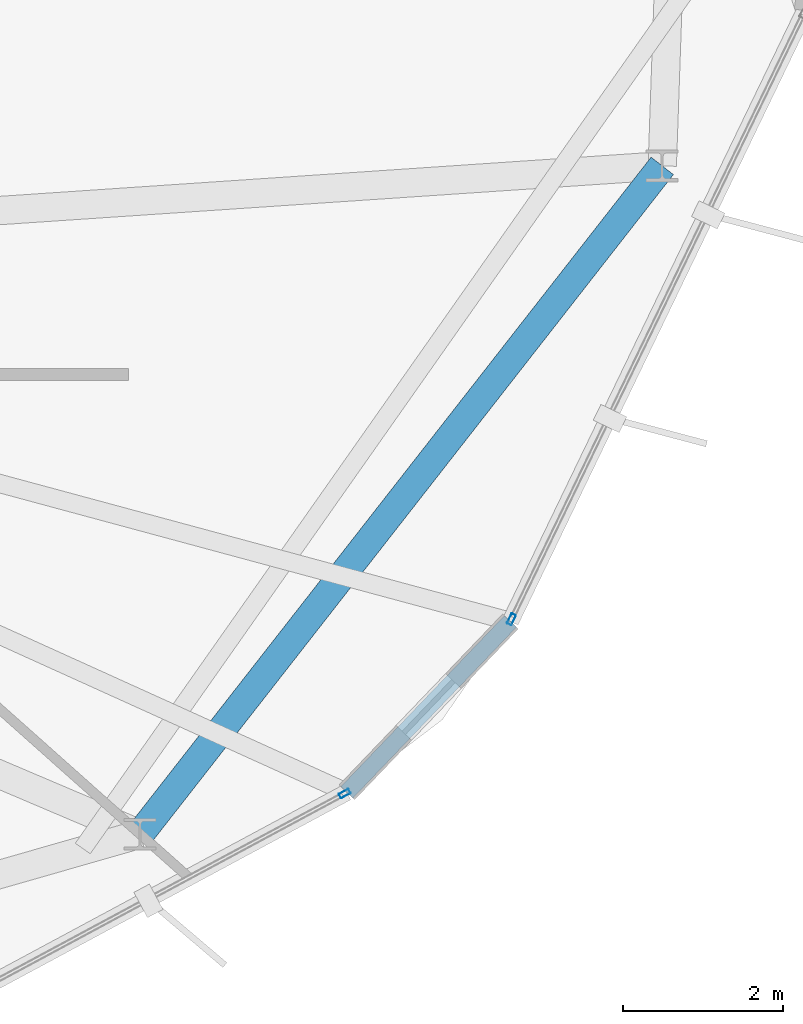
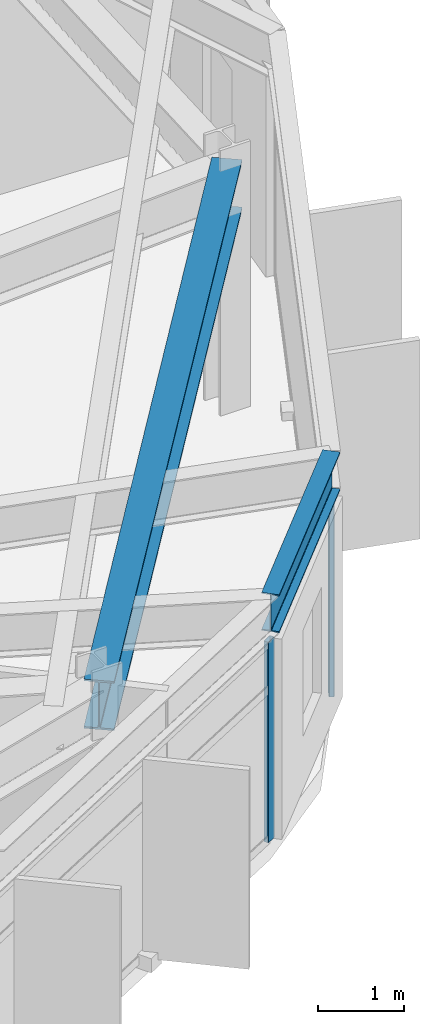
# One storey, part 11 of 26: 2 beams, 2 members, 2 elements without a shape of their own.
"""IFC4 building model written with IfcOpenShell, lengths in metres."""

from ifc_helpers import new_model, si_unit, direction, frame, origin, origin_2d, place, context, subcontext, project, spatial, hollow_rectangle, i_section, extrude, material, layer, layer_set, material_profile, profile_set, type_object, element, aggregate, save


model = new_model("IFC4")

# Units and contexts
model_context = context("Model", 3, precision=1e-05, world=origin(), true_north=direction((0.0, 1.0)))
body_context = subcontext(model_context, "Body", "Model", "MODEL_VIEW")
ifc_project = project(units=[si_unit("LENGTHUNIT", "METRE"), si_unit("AREAUNIT", "SQUARE_METRE"), si_unit("VOLUMEUNIT", "CUBIC_METRE"), si_unit("PLANEANGLEUNIT", "RADIAN"), si_unit("MASSUNIT", "GRAM", prefix="KILO")], contexts=[model_context])

# Site, building, storey
site_placement = place(None, origin())
site = spatial("IfcSite", under=ifc_project, at=site_placement, CompositionType="ELEMENT")
building_placement = place(site_placement, origin())
building = spatial("IfcBuilding", under=site, at=building_placement, Name="Soratama Intermodal Tower", CompositionType="ELEMENT")
storey_placement = place(building_placement, frame((0.0, 0.0, 268.75)))
storey = spatial("IfcBuildingStorey", under=building, at=storey_placement, Name="L68", CompositionType="ELEMENT", Elevation=268.75)

# Beams
ifc_material_1 = material(Name="Structural steel ASTM A992 Grade 50", Category="steel")
ifc_material_profile_1 = material_profile(ifc_material_1, i_section(OverallWidth=0.35498046875, OverallDepth=0.695068359375, WebThickness=0.015380859375, FlangeThickness=0.02490234375, FilletRadius=0.01611328125, at=origin_2d()), Name="W27X146")
ifc_profile_set_1 = profile_set([ifc_material_profile_1], Name="Structural steel ASTM A992 Grade 50")
beam_type_1 = type_object("IfcBeamType", Name="BM-RING-W27X146", PredefinedType="BEAM", material=ifc_profile_set_1)
beam_1_placement = place(storey_placement, frame((54.617919921875, 10.740966796875, 3.1025390625), z_axis=(0.6157278291, 0.787958907858, 0.0), x_axis=(-0.787958907858, 0.6157278291, 0.0)))
element("IfcBeam", 1, at=beam_1_placement, inside=storey, type_object=beam_type_1, Name="BM-L68-RING-09", PredefinedType="BEAM", context=body_context, shape_type="SweptSolid", body=[
    extrude(i_section(OverallWidth=0.35498046875, OverallDepth=0.695068359375, WebThickness=0.015380859375, FlangeThickness=0.02490234375, FilletRadius=0.01611328125, at=origin_2d()), origin(), (0.0, 0.0, 1.0), 10.6298828125),
])
ifc_material_2 = material(Name="Structural steel ASTM A992 Grade 50", Category="steel")
ifc_material_profile_2 = material_profile(ifc_material_2, i_section(OverallWidth=0.2099609375, OverallDepth=0.537109375, WebThickness=0.010986328125, FlangeThickness=0.017333984375, FilletRadius=0.012939453125, at=origin_2d()), Name="W21X68")
ifc_profile_set_2 = profile_set([ifc_material_profile_2], Name="Structural steel ASTM A992 Grade 50")
beam_type_2 = type_object("IfcBeamType", Name="BM-SPN-W21X68", PredefinedType="SPANDREL", material=ifc_profile_set_2)
beam_2_placement = place(storey_placement, frame((57.208984375, 11.263916015625, 3.181396484375), z_axis=(0.691422566435, 0.722450575904, 0.0), x_axis=(-0.722450575904, 0.691422566435, 0.0)))
element("IfcBeam", 2, at=beam_2_placement, inside=storey, type_object=beam_type_2, Name="BS-L68-CRN07", PredefinedType="SPANDREL", context=body_context, shape_type="SweptSolid", body=[
    extrude(i_section(OverallWidth=0.2099609375, OverallDepth=0.537109375, WebThickness=0.010986328125, FlangeThickness=0.017333984375, FilletRadius=0.012939453125, at=origin_2d()), origin(), (0.0, 0.0, 1.0), 2.96630859375),
])

# Curtain wall, member
ifc_material_3 = material(Name="Double-glazed aluminium curtain wall", Category="aluminium")
ifc_layer = layer(ifc_material_3, 0.159912109375)
ifc_layer_set = layer_set([ifc_layer], Name="Double-glazed aluminium curtain wall")
curtain_wall_type = type_object("IfcCurtainWallType", Name="CW-SYS-5", PredefinedType="NOTDEFINED", material=ifc_layer_set)
curtain_wall_1_placement = place(storey_placement, origin())
curtain_wall_1 = element("IfcCurtainWall", 3, at=curtain_wall_1_placement, inside=storey, type_object=curtain_wall_type, Name="L68 Faceted Curtain Wall F07", PredefinedType="NOTDEFINED")
ifc_material_4 = material(Name="Anodised aluminium AA 6063-T6", Category="aluminium")
ifc_material_profile_3 = material_profile(ifc_material_4, hollow_rectangle(XDim=0.06494140625, YDim=0.139892578125, WallThickness=0.0048828125, InnerFilletRadius=0.0048828125, OuterFilletRadius=0.010009765625, at=origin_2d()), Name="CWM140X65X5")
ifc_profile_set_3 = profile_set([ifc_material_profile_3], Name="Anodised aluminium AA 6063-T6")
member_type = type_object("IfcMemberType", Name="MT-CWM-5", PredefinedType="MULLION", material=ifc_profile_set_3)
member_1_placement = place(storey_placement, frame((57.1826171875, 11.249267578125, 0.0), z_axis=(0.0, 0.0, 1.0), x_axis=(-0.473470382738, 0.8808097392, 0.0)))
member_1 = element("IfcMember", 4, at=member_1_placement, type_object=member_type, Name="CW-5 mullion 2", PredefinedType="MULLION", context=body_context, shape_type="SweptSolid", body=[
    extrude(hollow_rectangle(XDim=0.06494140625, YDim=0.139892578125, WallThickness=0.0048828125, InnerFilletRadius=0.0048828125, OuterFilletRadius=0.010009765625, at=origin_2d()), origin(), (0.0, 0.0, 1.0), 2.8291015625),
])
aggregate(curtain_wall_1, [member_1])

curtain_wall_2_placement = place(storey_placement, origin())
curtain_wall_2 = element("IfcCurtainWall", 5, at=curtain_wall_2_placement, inside=storey, type_object=curtain_wall_type, Name="L68 Faceted Curtain Wall F08", PredefinedType="NOTDEFINED")
member_2_placement = place(storey_placement, frame((59.27294921875, 13.433837890625, 0.0), z_axis=(0.0, 0.0, 1.0), x_axis=(-0.900772297575, 0.434291685301, 0.0)))
member_2 = element("IfcMember", 6, at=member_2_placement, type_object=member_type, Name="CW-5 mullion 1", PredefinedType="MULLION", context=body_context, shape_type="SweptSolid", body=[
    extrude(hollow_rectangle(XDim=0.06494140625, YDim=0.139892578125, WallThickness=0.0048828125, InnerFilletRadius=0.0048828125, OuterFilletRadius=0.010009765625, at=origin_2d()), origin(), (0.0, 0.0, 1.0), 2.8291015625),
])
aggregate(curtain_wall_2, [member_2])

save(model, "model.ifc")
